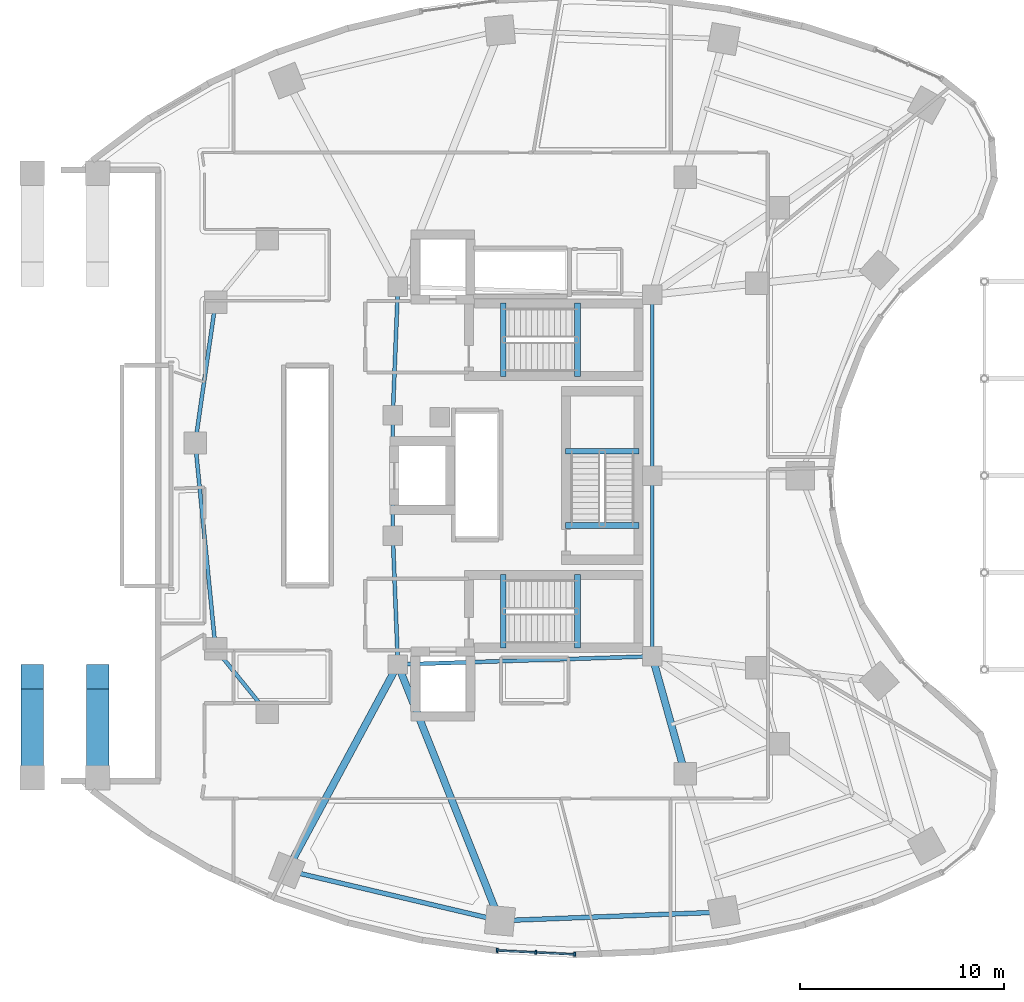
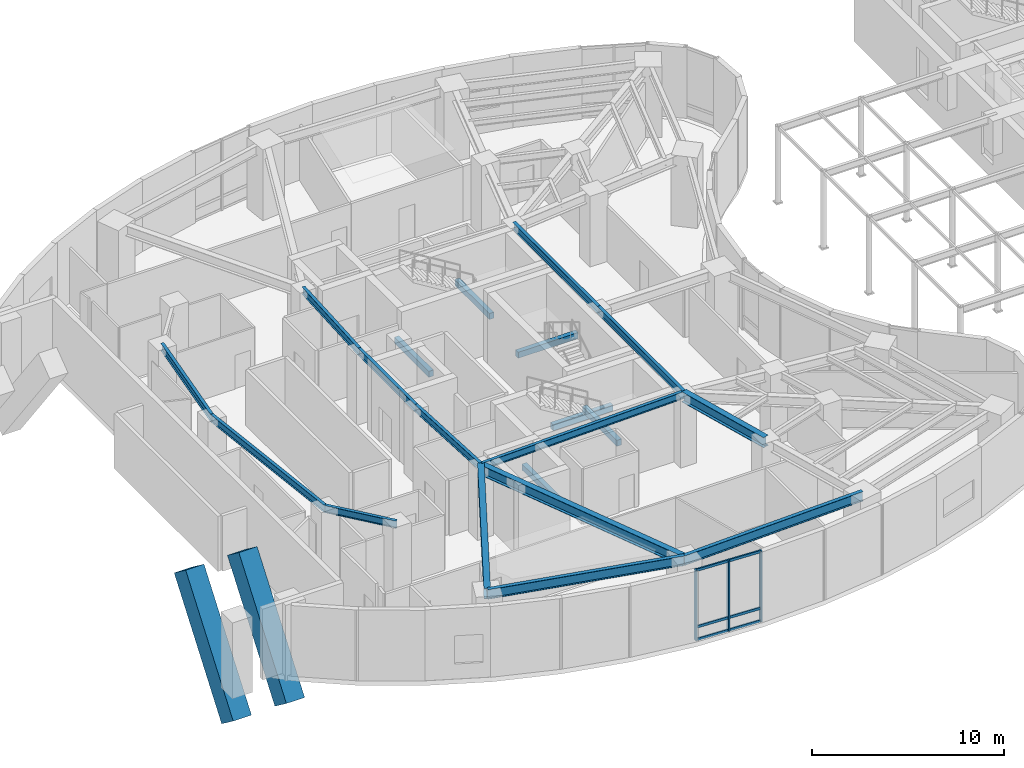
# One storey, part 7 of 24: 22 beams, 9 members, 1 element without a shape of its own.
"""IFC4 building model written with IfcOpenShell, lengths in metres."""

from ifc_helpers import new_model, si_unit, direction, frame, origin, origin_2d, place, context, subcontext, project, spatial, rectangle, i_section, extrude, material, layer, layer_set, material_profile, profile_set, type_object, element, aggregate, save


model = new_model("IFC4")

# Units and contexts
model_context = context("Model", 3, precision=1e-05, world=origin(), true_north=direction((0.0, 1.0)))
body_context = subcontext(model_context, "Body", "Model", "MODEL_VIEW")
ifc_project = project(units=[si_unit("LENGTHUNIT", "METRE"), si_unit("AREAUNIT", "SQUARE_METRE"), si_unit("VOLUMEUNIT", "CUBIC_METRE"), si_unit("PLANEANGLEUNIT", "RADIAN"), si_unit("MASSUNIT", "GRAM", prefix="KILO")], contexts=[model_context])

# Site, building, storey
site_placement = place(None, origin())
site = spatial("IfcSite", under=ifc_project, at=site_placement, CompositionType="ELEMENT")
building_placement = place(site_placement, origin())
building = spatial("IfcBuilding", under=site, at=building_placement, Name="Korentha Bioscience Tower", CompositionType="ELEMENT")
storey_placement = place(building_placement, frame((0.0, 0.0, 5.39990234375)))
storey = spatial("IfcBuildingStorey", under=building, at=storey_placement, Name="L01", CompositionType="ELEMENT", Elevation=5.39990234375)

# Beams
ifc_material_1 = material(Name="Concrete C50", Category="concrete")
ifc_material_profile_1 = material_profile(ifc_material_1, rectangle(XDim=0.280029296875, YDim=0.3798828125, at=origin_2d()), Name="Concrete C50")
ifc_profile_set_1 = profile_set([ifc_material_profile_1], Name="Concrete C50 (ST-HB380)")
beam_type_1 = type_object("IfcBeamType", Name="Concrete Stair Header Beam RC 280x380", PredefinedType="BEAM", material=ifc_profile_set_1)
for number, where, z_axis, x_axis, name in (
    (1, (30.25, 31.85009765625, -0.18994140625), (0.0, 1.0, 0.0), (-1.0, 0.0, 0.0), "L01 ST-1 Concrete Stair Header Beam"),
    (2, (33.889892578125, 31.85009765625, 2.210205078125), (0.0, 1.0, 0.0), (-1.0, 0.0, 0.0), "L01 ST-1 Half-Landing Header Beam 1"),
    (3, (30.25, 18.550048828125, -0.18994140625), (0.0, 1.0, 0.0), (-1.0, 0.0, 0.0), "L01 ST-2 Concrete Stair Header Beam"),
    (4, (33.889892578125, 18.550048828125, 2.210205078125), (0.0, 1.0, 0.0), (-1.0, 0.0, 0.0), "L01 ST-2 Half-Landing Header Beam 1"),
    (5, (36.89990234375, 24.550048828125, -0.18994140625), (-1.0, 0.0, 0.0), (0.0, -1.0, 0.0), "L01 ST-3 Concrete Stair Header Beam"),
    (6, (36.89990234375, 28.18994140625, 2.210205078125), (-1.0, 0.0, 0.0), (0.0, -1.0, 0.0), "L01 ST-3 Half-Landing Header Beam 1"),
):
    element("IfcBeam", number, at=place(storey_placement, frame(where, z_axis=z_axis, x_axis=x_axis)), inside=storey, type_object=beam_type_1, Name=name, PredefinedType="BEAM", context=body_context, shape_type="SweptSolid", body=[
        extrude(rectangle(XDim=0.280029296875, YDim=0.3798828125, at=origin_2d()), origin(), (0.0, 0.0, 1.0), 3.599853515625),
    ])
ifc_material_2 = material(Name="Steel S355", Category="steel")
ifc_material_profile_2 = material_profile(ifc_material_2, i_section(OverallWidth=0.18994140625, OverallDepth=0.45703125, WebThickness=0.009033203125, FlangeThickness=0.014404296875, at=origin_2d()), Name="Steel S355")
ifc_profile_set_2 = profile_set([ifc_material_profile_2], Name="Steel S355 (MB-460)")
beam_type_2 = type_object("IfcBeamType", Name="Mid-Ring Tie Girder W460x74", PredefinedType="BEAM", material=ifc_profile_set_2)
beam_1_placement = place(storey_placement, frame((16.174072265625, 35.489013671875, 4.271484375), z_axis=(-0.14286846228, -0.989741684727, 0.0), x_axis=(0.989741684727, -0.14286846228, 0.0)))
element("IfcBeam", 7, at=beam_1_placement, inside=storey, type_object=beam_type_2, Name="L01 Mid-Ring Tie Girder 06", PredefinedType="BEAM", context=body_context, shape_type="SweptSolid", body=[
    extrude(i_section(OverallWidth=0.18994140625, OverallDepth=0.45703125, WebThickness=0.009033203125, FlangeThickness=0.014404296875, at=origin_2d()), origin(), (0.0, 0.0, 1.0), 6.967041015625),
])
beam_2_placement = place(storey_placement, frame((15.1787109375, 28.593505859375, 4.271484375), z_axis=(0.098243909277, -0.995162365793, 0.0), x_axis=(0.995162365793, 0.098243909277, 0.0)))
element("IfcBeam", 8, at=beam_2_placement, inside=storey, type_object=beam_type_2, Name="L01 Mid-Ring Tie Girder 07", PredefinedType="BEAM", context=body_context, shape_type="SweptSolid", body=[
    extrude(i_section(OverallWidth=0.18994140625, OverallDepth=0.45703125, WebThickness=0.009033203125, FlangeThickness=0.014404296875, at=origin_2d()), origin(), (0.0, 0.0, 1.0), 10.131591796875),
])
beam_3_placement = place(storey_placement, frame((16.174072265625, 18.510986328125, 4.271484375), z_axis=(0.629790009744, -0.776765436684, 0.0), x_axis=(0.776765436684, 0.629790009744, 0.0)))
element("IfcBeam", 9, at=beam_3_placement, inside=storey, type_object=beam_type_2, Name="L01 Mid-Ring Tie Girder 08", PredefinedType="BEAM", context=body_context, shape_type="SweptSolid", body=[
    extrude(i_section(OverallWidth=0.18994140625, OverallDepth=0.45703125, WebThickness=0.009033203125, FlangeThickness=0.014404296875, at=origin_2d()), origin(), (0.0, 0.0, 1.0), 3.998291015625),
])
beam_4_placement = place(storey_placement, frame((25.10009765625, 36.25, 4.271484375), z_axis=(-0.039651025576, -0.999213588864, 0.0), x_axis=(0.999213588864, -0.039651025576, 0.0)))
element("IfcBeam", 10, at=beam_4_placement, inside=storey, type_object=beam_type_2, Name="L01 Core Ring Tie Girder 02", PredefinedType="BEAM", context=body_context, shape_type="SweptSolid", body=[
    extrude(i_section(OverallWidth=0.18994140625, OverallDepth=0.45703125, WebThickness=0.009033203125, FlangeThickness=0.014404296875, at=origin_2d()), origin(), (0.0, 0.0, 1.0), 6.304931640625),
])
beam_5_placement = place(storey_placement, frame((24.85009765625, 29.949951171875, 4.271484375), z_axis=(0.0, -1.0, 0.0), x_axis=(1.0, 0.0, 0.0)))
element("IfcBeam", 11, at=beam_5_placement, inside=storey, type_object=beam_type_2, Name="L01 Core Ring Tie Girder 03", PredefinedType="BEAM", context=body_context, shape_type="SweptSolid", body=[
    extrude(i_section(OverallWidth=0.18994140625, OverallDepth=0.45703125, WebThickness=0.009033203125, FlangeThickness=0.014404296875, at=origin_2d()), origin(), (0.0, 0.0, 1.0), 5.89990234375),
])
beam_6_placement = place(storey_placement, frame((24.85009765625, 24.050048828125, 4.271484375), z_axis=(0.039651025576, -0.999213588864, 0.0), x_axis=(0.999213588864, 0.039651025576, 0.0)))
element("IfcBeam", 12, at=beam_6_placement, inside=storey, type_object=beam_type_2, Name="L01 Core Ring Tie Girder 04", PredefinedType="BEAM", context=body_context, shape_type="SweptSolid", body=[
    extrude(i_section(OverallWidth=0.18994140625, OverallDepth=0.45703125, WebThickness=0.009033203125, FlangeThickness=0.014404296875, at=origin_2d()), origin(), (0.0, 0.0, 1.0), 6.304931640625),
])
beam_7_placement = place(storey_placement, frame((25.10009765625, 17.75, 4.271484375), z_axis=(0.999484526071, 0.032104238723, 0.0), x_axis=(-0.032104238723, 0.999484526071, 0.0)))
element("IfcBeam", 13, at=beam_7_placement, inside=storey, type_object=beam_type_2, Name="L01 Core Ring Tie Girder 05", PredefinedType="BEAM", context=body_context, shape_type="SweptSolid", body=[
    extrude(i_section(OverallWidth=0.18994140625, OverallDepth=0.45703125, WebThickness=0.009033203125, FlangeThickness=0.014404296875, at=origin_2d()), origin(), (0.0, 0.0, 1.0), 12.456298828125),
])
for number, where, z_axis, x_axis, name in (
    (14, (37.550048828125, 18.14990234375, 4.271484375), (0.0, 1.0, 0.0), (-1.0, 0.0, 0.0), "L01 Core Ring Tie Girder 06"),
    (15, (37.550048828125, 27.0, 4.271484375), (0.0, 1.0, 0.0), (-1.0, 0.0, 0.0), "L01 Core Ring Tie Girder 07"),
):
    element("IfcBeam", number, at=place(storey_placement, frame(where, z_axis=z_axis, x_axis=x_axis)), inside=storey, type_object=beam_type_2, Name=name, PredefinedType="BEAM", context=body_context, shape_type="SweptSolid", body=[
        extrude(i_section(OverallWidth=0.18994140625, OverallDepth=0.45703125, WebThickness=0.009033203125, FlangeThickness=0.014404296875, at=origin_2d()), origin(), (0.0, 0.0, 1.0), 8.85009765625),
    ])

# Curtain wall, members
ifc_material_3 = material(Name="Stone-Clad Aluminium Frame", Category="masonry")
ifc_layer = layer(ifc_material_3, 0.219970703125, Name="Stone-Clad Aluminium Frame")
ifc_layer_set = layer_set([ifc_layer], Name="Stone-Clad Aluminium Frame (CW-P1)")
curtain_wall_type = type_object("IfcCurtainWallType", Name="Podium Double-Height Stone-Mullion Curtain Wall CW-P1", PredefinedType="USERDEFINED", material=ifc_layer_set)
curtain_wall_placement = place(storey_placement, origin())
curtain_wall = element("IfcCurtainWall", 16, at=curtain_wall_placement, inside=storey, type_object=curtain_wall_type, Name="L01 Curtain Wall 31", ObjectType="UNITISED", PredefinedType="USERDEFINED")
ifc_material_4 = material(Name="Anodised Aluminium 6063-T6", Category="aluminium")
ifc_material_profile_3 = material_profile(ifc_material_4, rectangle(XDim=0.090087890625, YDim=0.199951171875, at=origin_2d()), Name="Anodised Aluminium 6063-T6")
ifc_profile_set_3 = profile_set([ifc_material_profile_3], Name="Anodised Aluminium 6063-T6 (CW-MUL)")
member_type_1 = type_object("IfcMemberType", Name="Mullion RECT 90x200", PredefinedType="MULLION", material=ifc_profile_set_3)
member_1_placement = place(storey_placement, frame((29.9541015625, 3.75244140625, 0.0), z_axis=(0.0, 0.0, 1.0), x_axis=(0.998730551641, -0.050371472279, 0.0)))
member_1 = element("IfcMember", 17, at=member_1_placement, type_object=member_type_1, Name="CW-L01-31 Mullion 1", PredefinedType="MULLION", context=body_context, shape_type="SweptSolid", body=[
    extrude(rectangle(XDim=0.090087890625, YDim=0.199951171875, at=origin_2d()), origin(), (0.0, 0.0, 1.0), 4.5),
])
member_2_placement = place(storey_placement, frame((31.855224609375, 3.656494140625, 0.0), z_axis=(0.0, 0.0, 1.0), x_axis=(0.998730551641, -0.050371472279, 0.0)))
member_2 = element("IfcMember", 18, at=member_2_placement, type_object=member_type_1, Name="CW-L01-31 Mullion 2", PredefinedType="MULLION", context=body_context, shape_type="SweptSolid", body=[
    extrude(rectangle(XDim=0.090087890625, YDim=0.199951171875, at=origin_2d()), origin(), (0.0, 0.0, 1.0), 4.5),
])
member_3_placement = place(storey_placement, frame((33.75634765625, 3.560791015625, 0.0), z_axis=(0.0, 0.0, 1.0), x_axis=(0.998730551641, -0.050371472279, 0.0)))
member_3 = element("IfcMember", 19, at=member_3_placement, type_object=member_type_1, Name="CW-L01-31 Mullion 3", PredefinedType="MULLION", context=body_context, shape_type="SweptSolid", body=[
    extrude(rectangle(XDim=0.090087890625, YDim=0.199951171875, at=origin_2d()), origin(), (0.0, 0.0, 1.0), 4.5),
])

# Beams
ifc_material_5 = material(Name="Concrete C80", Category="concrete")
ifc_material_profile_4 = material_profile(ifc_material_5, rectangle(XDim=1.10009765625, YDim=1.5, at=origin_2d()), Name="Concrete C80")
ifc_profile_set_4 = profile_set([ifc_material_profile_4], Name="Concrete C80 (AR-B1)")
beam_type_3 = type_object("IfcBeamType", Name="Parabolic Arch Rib Upper Chord 1500x1100", PredefinedType="USERDEFINED", material=ifc_profile_set_4)
for number, where, z_axis, x_axis, name in (
    (20, (7.199951171875, 12.199951171875, -2.199951171875), (0.0, 0.599990530317, 0.800007102175), (-1.0, 0.0, 0.0), "Parabolic Arch Rib Segment 1-1"),
    (21, (10.39990234375, 12.199951171875, -2.199951171875), (0.0, 0.599990530317, 0.800007102175), (-1.0, 0.0, 0.0), "Parabolic Arch Rib Segment 2-1"),
):
    element("IfcBeam", number, at=place(storey_placement, frame(where, z_axis=z_axis, x_axis=x_axis)), inside=storey, type_object=beam_type_3, Name=name, ObjectType="ARCH_RIB", PredefinedType="USERDEFINED", context=body_context, shape_type="SweptSolid", body=[
        extrude(rectangle(XDim=1.10009765625, YDim=1.5, at=origin_2d()), origin(), (0.0, 0.0, 1.0), 8.25),
    ])
ifc_material_profile_5 = material_profile(ifc_material_2, i_section(OverallWidth=0.22802734375, OverallDepth=0.60791015625, WebThickness=0.01123046875, FlangeThickness=0.017333984375, at=origin_2d()), Name="Steel S355")
ifc_profile_set_5 = profile_set([ifc_material_profile_5], Name="Steel S355 (SB-610)")
beam_type_4 = type_object("IfcBeamType", Name="Perimeter Ring Spandrel Girder W610x113", PredefinedType="SPANDREL", material=ifc_profile_set_5)
beam_8_placement = place(storey_placement, frame((19.66650390625, 7.671142578125, 4.196044921875), z_axis=(0.973207885376, -0.229926970672, 0.0), x_axis=(0.229926970672, 0.973207885376, 0.0)))
element("IfcBeam", 22, at=beam_8_placement, inside=storey, type_object=beam_type_4, Name="L01 Perimeter Spandrel Girder 10", PredefinedType="SPANDREL", context=body_context, shape_type="SweptSolid", body=[
    extrude(i_section(OverallWidth=0.22802734375, OverallDepth=0.60791015625, WebThickness=0.01123046875, FlangeThickness=0.017333984375, at=origin_2d()), origin(), (0.0, 0.0, 1.0), 10.71484375),
])
beam_9_placement = place(storey_placement, frame((30.09423828125, 5.20751953125, 4.196044921875), z_axis=(0.999246003889, 0.03882555488, 0.0), x_axis=(-0.03882555488, 0.999246003889, 0.0)))
element("IfcBeam", 23, at=beam_9_placement, inside=storey, type_object=beam_type_4, Name="L01 Perimeter Spandrel Girder 11", PredefinedType="SPANDREL", context=body_context, shape_type="SweptSolid", body=[
    extrude(i_section(OverallWidth=0.22802734375, OverallDepth=0.60791015625, WebThickness=0.01123046875, FlangeThickness=0.017333984375, at=origin_2d()), origin(), (0.0, 0.0, 1.0), 10.966552734375),
])
ifc_material_profile_6 = material_profile(ifc_material_2, i_section(OverallWidth=0.35009765625, OverallDepth=0.64990234375, WebThickness=0.01611328125, FlangeThickness=0.02490234375, at=origin_2d()), Name="Steel S355")
ifc_profile_set_6 = profile_set([ifc_material_profile_6], Name="Steel S355 (RB-650)")
beam_type_5 = type_object("IfcBeamType", Name="Radial Laboratory Girder CVS 650x208", PredefinedType="BEAM", material=ifc_profile_set_6)
beam_10_placement = place(storey_placement, frame((25.10009765625, 17.75, 4.175048828125), z_axis=(-0.47454097106, -0.880233416081, 0.0), x_axis=(0.880233416081, -0.47454097106, 0.0)))
element("IfcBeam", 24, at=beam_10_placement, inside=storey, type_object=beam_type_5, Name="L01 Radial Girder 10", PredefinedType="BEAM", context=body_context, shape_type="SweptSolid", body=[
    extrude(i_section(OverallWidth=0.35009765625, OverallDepth=0.64990234375, WebThickness=0.01611328125, FlangeThickness=0.02490234375, at=origin_2d()), origin(), (0.0, 0.0, 1.0), 11.4501953125),
])
beam_11_placement = place(storey_placement, frame((25.10009765625, 17.75, 4.175048828125), z_axis=(0.369931007413, -0.929059228335, 0.0), x_axis=(0.929059228335, 0.369931007413, 0.0)))
element("IfcBeam", 25, at=beam_11_placement, inside=storey, type_object=beam_type_5, Name="L01 Radial Girder 11", PredefinedType="BEAM", context=body_context, shape_type="SweptSolid", body=[
    extrude(i_section(OverallWidth=0.35009765625, OverallDepth=0.64990234375, WebThickness=0.01611328125, FlangeThickness=0.02490234375, at=origin_2d()), origin(), (0.0, 0.0, 1.0), 13.500244140625),
])
beam_12_placement = place(storey_placement, frame((37.550048828125, 18.14990234375, 4.175048828125), z_axis=(0.269469369205, -0.963008961049, 0.0), x_axis=(0.963008961049, 0.269469369205, 0.0)))
element("IfcBeam", 26, at=beam_12_placement, inside=storey, type_object=beam_type_5, Name="L01 Inner Radial Girder 12", PredefinedType="BEAM", context=body_context, shape_type="SweptSolid", body=[
    extrude(i_section(OverallWidth=0.35009765625, OverallDepth=0.64990234375, WebThickness=0.01611328125, FlangeThickness=0.02490234375, at=origin_2d()), origin(), (0.0, 0.0, 1.0), 5.978759765625),
])

# Member
ifc_material_profile_7 = material_profile(ifc_material_4, rectangle(XDim=0.090087890625, YDim=0.159912109375, at=origin_2d()), Name="Anodised Aluminium 6063-T6")
ifc_profile_set_7 = profile_set([ifc_material_profile_7], Name="Anodised Aluminium 6063-T6 (CW-TRN)")
member_type_2 = type_object("IfcMemberType", Name="Transom RECT 90x160", PredefinedType="USERDEFINED", material=ifc_profile_set_7)
member_4_placement = place(storey_placement, frame((29.9990234375, 3.750244140625, 0.045166015625), z_axis=(0.998731776836, -0.050347174085, 0.0), x_axis=(0.050347174085, 0.998731776836, 0.0)))
member_4 = element("IfcMember", 27, at=member_4_placement, type_object=member_type_2, Name="CW-L01-31 Bay 1 Transom 1", ObjectType="TRANSOM", PredefinedType="USERDEFINED", context=body_context, shape_type="SweptSolid", body=[
    extrude(rectangle(XDim=0.090087890625, YDim=0.159912109375, at=origin_2d()), origin(), (0.0, 0.0, 1.0), 1.8134765625),
])

member_5_placement = place(storey_placement, frame((29.9990234375, 3.750244140625, 0.85009765625), z_axis=(0.998731776836, -0.050347174085, 0.0), x_axis=(0.050347174085, 0.998731776836, 0.0)))
member_5 = element("IfcMember", 28, at=member_5_placement, type_object=member_type_2, Name="CW-L01-31 Bay 1 Transom 2", ObjectType="TRANSOM", PredefinedType="USERDEFINED", context=body_context, shape_type="SweptSolid", body=[
    extrude(rectangle(XDim=0.090087890625, YDim=0.159912109375, at=origin_2d()), origin(), (0.0, 0.0, 1.0), 1.8134765625),
])

member_6_placement = place(storey_placement, frame((29.9990234375, 3.750244140625, 4.455078125), z_axis=(0.998731776836, -0.050347174085, 0.0), x_axis=(0.050347174085, 0.998731776836, 0.0)))
member_6 = element("IfcMember", 29, at=member_6_placement, type_object=member_type_2, Name="CW-L01-31 Bay 1 Transom 3", ObjectType="TRANSOM", PredefinedType="USERDEFINED", context=body_context, shape_type="SweptSolid", body=[
    extrude(rectangle(XDim=0.090087890625, YDim=0.159912109375, at=origin_2d()), origin(), (0.0, 0.0, 1.0), 1.8134765625),
])

member_7_placement = place(storey_placement, frame((31.900146484375, 3.654296875, 0.045166015625), z_axis=(0.998731776836, -0.050347174085, 0.0), x_axis=(0.050347174085, 0.998731776836, 0.0)))
member_7 = element("IfcMember", 30, at=member_7_placement, type_object=member_type_2, Name="CW-L01-31 Bay 2 Transom 1", ObjectType="TRANSOM", PredefinedType="USERDEFINED", context=body_context, shape_type="SweptSolid", body=[
    extrude(rectangle(XDim=0.090087890625, YDim=0.159912109375, at=origin_2d()), origin(), (0.0, 0.0, 1.0), 1.8134765625),
])

member_8_placement = place(storey_placement, frame((31.900146484375, 3.654296875, 0.85009765625), z_axis=(0.998731776836, -0.050347174085, 0.0), x_axis=(0.050347174085, 0.998731776836, 0.0)))
member_8 = element("IfcMember", 31, at=member_8_placement, type_object=member_type_2, Name="CW-L01-31 Bay 2 Transom 2", ObjectType="TRANSOM", PredefinedType="USERDEFINED", context=body_context, shape_type="SweptSolid", body=[
    extrude(rectangle(XDim=0.090087890625, YDim=0.159912109375, at=origin_2d()), origin(), (0.0, 0.0, 1.0), 1.8134765625),
])

member_9_placement = place(storey_placement, frame((31.900146484375, 3.654296875, 4.455078125), z_axis=(0.998731776836, -0.050347174085, 0.0), x_axis=(0.050347174085, 0.998731776836, 0.0)))
member_9 = element("IfcMember", 32, at=member_9_placement, type_object=member_type_2, Name="CW-L01-31 Bay 2 Transom 3", ObjectType="TRANSOM", PredefinedType="USERDEFINED", context=body_context, shape_type="SweptSolid", body=[
    extrude(rectangle(XDim=0.090087890625, YDim=0.159912109375, at=origin_2d()), origin(), (0.0, 0.0, 1.0), 1.8134765625),
])

aggregate(curtain_wall, [member_1, member_2, member_3, member_4, member_5, member_6, member_7, member_8, member_9])

save(model, "model.ifc")
